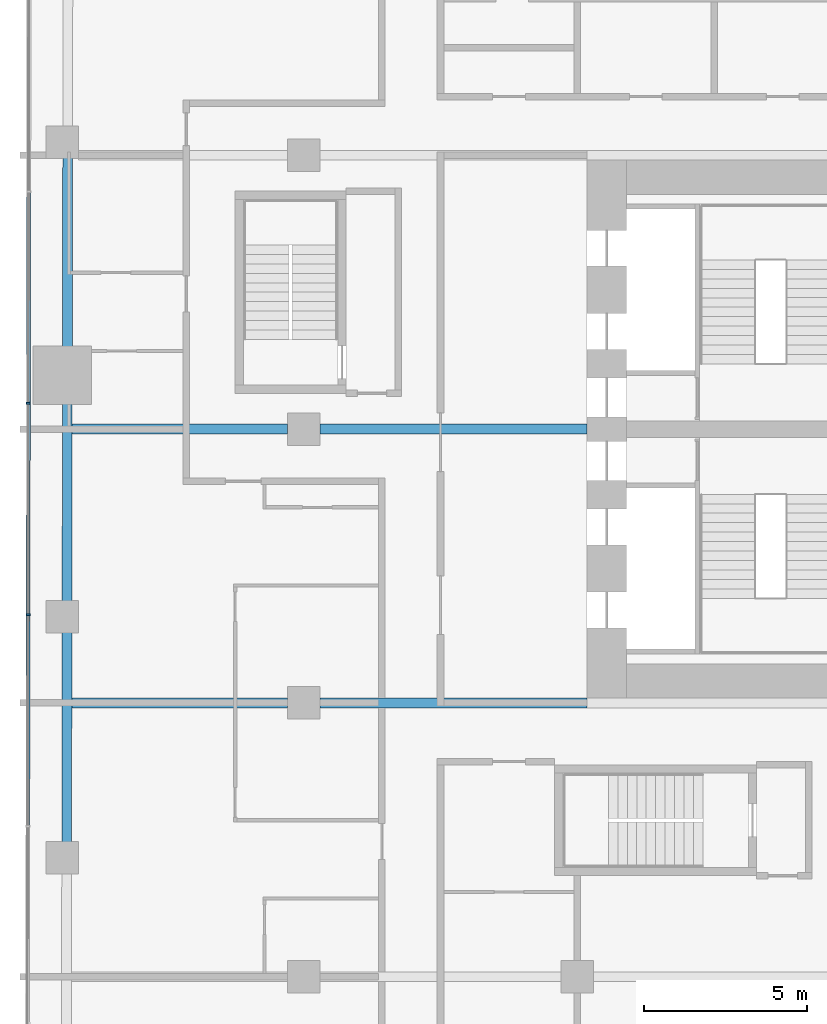
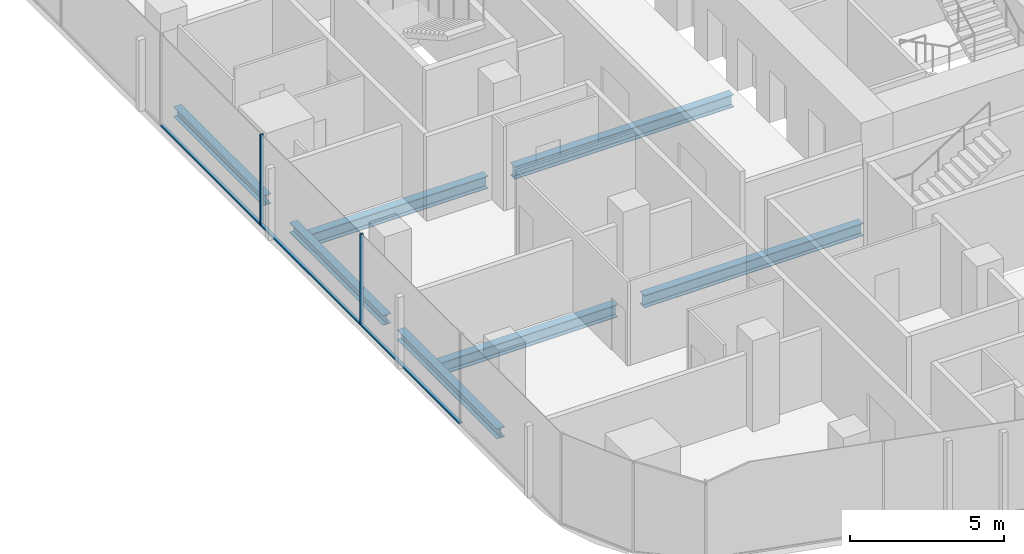
# One storey, part 4 of 25: 7 beams, 5 members, 1 element without a shape of its own.
"""IFC4 building model written with IfcOpenShell, lengths in metres."""

import ifcopenshell
import ifcopenshell.guid

model = None  # the IFC model being written
_history = None  # IfcOwnerHistory: only IFC2X3 demands one
_inside = {}  # id of a spatial element -> (the spatial element, [elements in it])
_under = {}  # id of a project, library or spatial element -> (it, [spatial elements below it])
_declared = {}  # id of a project -> (the project, [libraries it declares])
_typed = {}  # id of a type object -> (the type object, [elements of that type])
_made_of = {}  # id of a material, layer set ... -> (it, [elements and type objects made of it])


def new_model(schema):
    """Start an empty IFC model of exactly this schema.

    Asked for "IFC4X3", IfcOpenShell would pick the latest addendum, in which some entities
    have other attributes; the version numbers below select the first issue.
    IFC2X3 requires an IfcOwnerHistory on every rooted entity: one is made here for all.
    """
    global model, _history
    if schema == "IFC4X3":
        model = ifcopenshell.file(schema_version=(4, 3, 0, 0))
    else:
        model = ifcopenshell.file(schema=schema)
    _inside.clear()
    _under.clear()
    _declared.clear()
    _typed.clear()
    _made_of.clear()
    _history = None
    if model.schema == "IFC2X3":
        org = make("IfcOrganization", Name="unknown")
        user = make(
            "IfcPersonAndOrganization",
            ThePerson=make("IfcPerson", FamilyName="unknown"),
            TheOrganization=org,
        )
        app = make(
            "IfcApplication",
            ApplicationDeveloper=org,
            Version="unknown",
            ApplicationFullName="unknown",
            ApplicationIdentifier="unknown",
        )
        _history = make(
            "IfcOwnerHistory",
            OwningUser=user,
            OwningApplication=app,
            ChangeAction="ADDED",
            CreationDate=0,
        )
    return model


def make(cls, **values):
    """One entity of the class cls with the attributes given. An attribute that is None is left unset."""
    return model.create_entity(
        cls, **{name: value for name, value in values.items() if value is not None}
    )


def rooted(cls, **values):
    """An entity with a GlobalId (a new one), such as an element, a storey or a relation."""
    return make(cls, GlobalId=ifcopenshell.guid.new(), OwnerHistory=_history, **values)


def si_unit(unit_type, name, prefix=None):
    """IfcSIUnit, for example si_unit("LENGTHUNIT", "METRE", prefix="MILLI")."""
    return make("IfcSIUnit", UnitType=unit_type, Prefix=prefix, Name=name)


def assignment(units):
    """IfcUnitAssignment: the units of a project."""
    return None if units is None else make("IfcUnitAssignment", Units=units)


def point(xyz):
    """IfcCartesianPoint."""
    return None if xyz is None else make("IfcCartesianPoint", Coordinates=xyz)


def direction(xyz):
    """IfcDirection."""
    return None if xyz is None else make("IfcDirection", DirectionRatios=xyz)


def frame(location, z_axis=None, x_axis=None):
    """IfcAxis2Placement3D, a coordinate frame: its origin and axes. An axis left out is left unset."""
    return make(
        "IfcAxis2Placement3D",
        Location=point(location),
        Axis=direction(z_axis),
        RefDirection=direction(x_axis),
    )


def frame_2d(location, x_axis=None):
    """IfcAxis2Placement2D, a coordinate frame in the plane: its origin and x axis."""
    return make(
        "IfcAxis2Placement2D", Location=point(location), RefDirection=direction(x_axis)
    )


def origin():
    """The frame at (0, 0, 0) with its axes left unset."""
    return frame((0.0, 0.0, 0.0))


def origin_2d():
    """The frame at (0, 0) in the plane with its x axis left unset."""
    return frame_2d((0.0, 0.0))


def place(relative_to, where):
    """IfcLocalPlacement: puts the frame where relative to a parent placement (None: the world)."""
    return make(
        "IfcLocalPlacement", PlacementRelTo=relative_to, RelativePlacement=where
    )


def context(
    kind, dimensions, precision=None, world=None, true_north=None, identifier=None
):
    """IfcGeometricRepresentationContext, for example the 3D "Model" context."""
    return make(
        "IfcGeometricRepresentationContext",
        ContextIdentifier=identifier,
        ContextType=kind,
        CoordinateSpaceDimension=dimensions,
        Precision=precision,
        WorldCoordinateSystem=world,
        TrueNorth=true_north,
    )


def subcontext(parent, identifier, kind, view, scale=None):
    """IfcGeometricRepresentationSubContext, for example "Body" below "Model"."""
    return make(
        "IfcGeometricRepresentationSubContext",
        ContextIdentifier=identifier,
        ContextType=kind,
        ParentContext=parent,
        TargetScale=scale,
        TargetView=view,
    )


def project(units=None, contexts=None):
    """IfcProject with its units and contexts."""
    return rooted(
        "IfcProject",
        Name="project",
        RepresentationContexts=contexts,
        UnitsInContext=assignment(units),
    )


def spatial(cls, under=None, at=None, **own):
    """A site, building, storey or space (cls), placed at a placement, below another one or the project."""
    s = rooted(cls, ObjectPlacement=at, **own)
    if under is not None:
        _under.setdefault(under.id(), (under, []))[1].append(s)
    return s


def profile(cls, at=None, kind="AREA", **sizes):
    """A parametric profile (cls). Its sizes go by their IFC names, for example OverallWidth=200.0."""
    return make(cls, ProfileType=kind, Position=at, **sizes)


def rectangle(**sizes):
    """IfcRectangleProfileDef."""
    return profile("IfcRectangleProfileDef", **sizes)


def i_section(**sizes):
    """IfcIShapeProfileDef."""
    return profile("IfcIShapeProfileDef", **sizes)


def extrude(swept, where, along, depth):
    """IfcExtrudedAreaSolid: the profile swept, set in the frame where, extruded along a direction by depth."""
    return make(
        "IfcExtrudedAreaSolid",
        SweptArea=swept,
        Position=where,
        ExtrudedDirection=direction(along),
        Depth=depth,
    )


def shape(context_of_items, identifier, shape_type, items):
    """IfcShapeRepresentation: the items that make up one representation, for example the "Body"."""
    return make(
        "IfcShapeRepresentation",
        ContextOfItems=context_of_items,
        RepresentationIdentifier=identifier,
        RepresentationType=shape_type,
        Items=items,
    )


def material(Name=None, Category=None):
    """IfcMaterial."""
    return make("IfcMaterial", Name=Name, Category=Category)


def layer(
    of_material, thickness, ventilated=None, Name=None, Category=None, Priority=None
):
    """IfcMaterialLayer: one layer of a wall or slab, of a material (None: an air gap)."""
    return make(
        "IfcMaterialLayer",
        Material=of_material,
        LayerThickness=thickness,
        IsVentilated=ventilated,
        Name=Name,
        Category=Category,
        Priority=Priority,
    )


def layer_set(layers, Name=None):
    """IfcMaterialLayerSet."""
    return make("IfcMaterialLayerSet", MaterialLayers=layers, LayerSetName=Name)


def material_profile(
    of_material, cross_section, Name=None, Category=None, Priority=None
):
    """IfcMaterialProfile: a cross section and its material."""
    return make(
        "IfcMaterialProfile",
        Name=Name,
        Material=of_material,
        Profile=cross_section,
        Priority=Priority,
        Category=Category,
    )


def profile_set(profiles, Name=None, composite=None):
    """IfcMaterialProfileSet."""
    return make(
        "IfcMaterialProfileSet",
        Name=Name,
        MaterialProfiles=profiles,
        CompositeProfile=composite,
    )


def made_of(thing, what):
    """Note that an element or type object is made of a material, layer set ...; save() writes the relation."""
    if what is not None:
        _made_of.setdefault(what.id(), (what, []))[1].append(thing)
    return thing


def type_object(cls, material=None, **own):
    """A type object (cls), such as IfcWallType, which elements share."""
    return made_of(rooted(cls, **own), material)


def element(
    cls,
    number,
    at=None,
    inside=None,
    cuts=None,
    type_object=None,
    material=None,
    context=None,
    identifier="Body",
    shape_type=None,
    held_by="IfcProductDefinitionShape",
    body=None,
    shapes=None,
    **own,
):
    """One element of the class cls, such as IfcWall. Its Tag is "e" and its number.

    at: its placement. inside: the storey or other place that contains it. cuts: it is an
    opening in that element (IfcRelVoidsElement). A single representation is given by context,
    identifier, shape_type and body (its items); several are given by shapes. held_by: the class
    of the entity that holds the representations. save() writes the other relations.
    """
    e = rooted(cls, Tag="e%d" % number, ObjectPlacement=at, **own)
    if body is not None:
        shapes = [shape(context, identifier, shape_type, body)]
    if shapes is not None:
        e.Representation = make(held_by, Representations=shapes)
    if inside is not None:
        _inside.setdefault(inside.id(), (inside, []))[1].append(e)
    if cuts is not None:
        rooted(
            "IfcRelVoidsElement", RelatingBuildingElement=cuts, RelatedOpeningElement=e
        )
    if type_object is not None:
        _typed.setdefault(type_object.id(), (type_object, []))[1].append(e)
    return made_of(e, material)


def aggregate(whole, parts):
    """IfcRelAggregates: a whole, such as a stair, and the parts it consists of."""
    return rooted("IfcRelAggregates", RelatingObject=whole, RelatedObjects=parts)


def save(model, path):
    """Write the relations noted so far, then the file.

    IfcRelAggregates (storeys below a building ...), IfcRelContainedInSpatialStructure (elements
    in a storey), IfcRelDefinesByType, IfcRelAssociatesMaterial and IfcRelDeclares: one each for
    every whole, place, type object, material and project.
    """
    for whole, parts in _under.values():
        aggregate(whole, parts)
    for where, things in _inside.values():
        rooted(
            "IfcRelContainedInSpatialStructure",
            RelatedElements=things,
            RelatingStructure=where,
        )
    for kind, things in _typed.values():
        rooted("IfcRelDefinesByType", RelatedObjects=things, RelatingType=kind)
    for what, things in _made_of.values():
        rooted("IfcRelAssociatesMaterial", RelatedObjects=things, RelatingMaterial=what)
    for by, libraries in _declared.values():
        rooted("IfcRelDeclares", RelatingContext=by, RelatedDefinitions=libraries)
    model.write(path)


model = new_model("IFC4")

# Units and contexts
model_context = context("Model", 3, precision=1e-05, world=origin(), true_north=direction((0.0, 1.0)))
body_context = subcontext(model_context, "Body", "Model", "MODEL_VIEW")
ifc_project = project(units=[si_unit("LENGTHUNIT", "METRE"), si_unit("AREAUNIT", "SQUARE_METRE"), si_unit("VOLUMEUNIT", "CUBIC_METRE"), si_unit("PLANEANGLEUNIT", "RADIAN"), si_unit("MASSUNIT", "GRAM", prefix="KILO")], contexts=[model_context])

# Site, building, storey
site_placement = place(None, origin())
site = spatial("IfcSite", under=ifc_project, at=site_placement, CompositionType="ELEMENT")
building_placement = place(site_placement, origin())
building = spatial("IfcBuilding", under=site, at=building_placement, Name="Marenta Gate Hotel Tower", CompositionType="ELEMENT")
storey_placement = place(building_placement, frame((0.0, 0.0, 50.89990234375)))
storey = spatial("IfcBuildingStorey", under=building, at=storey_placement, Name="L10", CompositionType="ELEMENT", Elevation=50.89990234375)

# Beams
ifc_material_1 = material(Name="Steel S355", Category="steel")
ifc_material_profile_1 = material_profile(ifc_material_1, i_section(OverallWidth=0.300048828125, OverallDepth=0.39990234375, WebThickness=0.013427734375, FlangeThickness=0.02392578125, FilletRadius=0.027099609375, at=origin_2d()), Name="HEB 400")
ifc_profile_set_1 = profile_set([ifc_material_profile_1], Name="Steel S355")
beam_type_1 = type_object("IfcBeamType", Name="Edge beam HEB 400", PredefinedType="SPANDREL", material=ifc_profile_set_1)
beam_1_placement = place(storey_placement, frame((-28.267333984375, -4.2919921875, -0.4599609375), z_axis=(0.001393753119, 0.999999028726, 0.0), x_axis=(-0.999999028726, 0.001393753119, 0.0)))
element("IfcBeam", 1, at=beam_1_placement, inside=storey, type_object=beam_type_1, Name="L10-EB-6", PredefinedType="SPANDREL", context=body_context, shape_type="SweptSolid", body=[
    extrude(i_section(OverallWidth=0.300048828125, OverallDepth=0.39990234375, WebThickness=0.013427734375, FlangeThickness=0.02392578125, FilletRadius=0.027099609375, at=origin_2d()), origin(), (0.0, 0.0, 1.0), 6.481201171875),
])
beam_2_placement = place(storey_placement, frame((-28.257080078125, 3.109130859375, -0.4599609375), z_axis=(0.001405226059, 0.999999012669, 0.0), x_axis=(-0.999999012669, 0.001405226059, 0.0)))
element("IfcBeam", 2, at=beam_2_placement, inside=storey, type_object=beam_type_1, Name="L10-EB-7", PredefinedType="SPANDREL", context=body_context, shape_type="SweptSolid", body=[
    extrude(i_section(OverallWidth=0.300048828125, OverallDepth=0.39990234375, WebThickness=0.013427734375, FlangeThickness=0.02392578125, FilletRadius=0.027099609375, at=origin_2d()), origin(), (0.0, 0.0, 1.0), 6.080810546875),
])
beam_3_placement = place(storey_placement, frame((-28.246337890625, 10.909912109375, -0.4599609375), z_axis=(0.001423009483, 0.999998987521, 0.0), x_axis=(-0.999998987521, 0.001423009483, 0.0)))
element("IfcBeam", 3, at=beam_3_placement, inside=storey, type_object=beam_type_1, Name="L10-EB-8", PredefinedType="SPANDREL", context=body_context, shape_type="SweptSolid", body=[
    extrude(i_section(OverallWidth=0.300048828125, OverallDepth=0.39990234375, WebThickness=0.013427734375, FlangeThickness=0.02392578125, FilletRadius=0.027099609375, at=origin_2d()), origin(), (0.0, 0.0, 1.0), 5.833251953125),
])
ifc_material_2 = material(Name="Steel S355", Category="steel")
ifc_material_profile_2 = material_profile(ifc_material_2, i_section(OverallWidth=0.300048828125, OverallDepth=0.5, WebThickness=0.014404296875, FlangeThickness=0.028076171875, FilletRadius=0.027099609375, at=origin_2d()), Name="HEB 500")
ifc_profile_set_2 = profile_set([ifc_material_profile_2], Name="Steel S355")
beam_type_2 = type_object("IfcBeamType", Name="Girder HEB 500", PredefinedType="BEAM", material=ifc_profile_set_2)
beam_4_placement = place(storey_placement, frame((-28.111328125, 0.0, -0.510009765625), z_axis=(1.0, 0.0, 0.0), x_axis=(0.0, 1.0, 0.0)))
element("IfcBeam", 4, at=beam_4_placement, inside=storey, type_object=beam_type_2, Name="L10-GD-8", PredefinedType="BEAM", context=body_context, shape_type="SweptSolid", body=[
    extrude(i_section(OverallWidth=0.300048828125, OverallDepth=0.5, WebThickness=0.014404296875, FlangeThickness=0.028076171875, FilletRadius=0.027099609375, at=origin_2d()), origin(), (0.0, 0.0, 1.0), 6.611328125),
])
beam_5_placement = place(storey_placement, frame((-20.5, 0.0, -0.510009765625), z_axis=(1.0, 0.0, 0.0), x_axis=(0.0, 1.0, 0.0)))
element("IfcBeam", 5, at=beam_5_placement, inside=storey, type_object=beam_type_2, Name="L10-GD-9", PredefinedType="BEAM", context=body_context, shape_type="SweptSolid", body=[
    extrude(i_section(OverallWidth=0.300048828125, OverallDepth=0.5, WebThickness=0.014404296875, FlangeThickness=0.028076171875, FilletRadius=0.027099609375, at=origin_2d()), origin(), (0.0, 0.0, 1.0), 8.199951171875),
])
beam_6_placement = place(storey_placement, frame((-28.099609375, 8.39990234375, -0.510009765625), z_axis=(1.0, 0.0, 0.0), x_axis=(0.0, 1.0, 0.0)))
element("IfcBeam", 6, at=beam_6_placement, inside=storey, type_object=beam_type_2, Name="L10-GD-13", PredefinedType="BEAM", context=body_context, shape_type="SweptSolid", body=[
    extrude(i_section(OverallWidth=0.300048828125, OverallDepth=0.5, WebThickness=0.014404296875, FlangeThickness=0.028076171875, FilletRadius=0.027099609375, at=origin_2d()), origin(), (0.0, 0.0, 1.0), 6.599609375),
])
beam_7_placement = place(storey_placement, frame((-20.5, 8.39990234375, -0.510009765625), z_axis=(1.0, 0.0, 0.0), x_axis=(0.0, 1.0, 0.0)))
element("IfcBeam", 7, at=beam_7_placement, inside=storey, type_object=beam_type_2, Name="L10-GD-14", PredefinedType="BEAM", context=body_context, shape_type="SweptSolid", body=[
    extrude(i_section(OverallWidth=0.300048828125, OverallDepth=0.5, WebThickness=0.014404296875, FlangeThickness=0.028076171875, FilletRadius=0.027099609375, at=origin_2d()), origin(), (0.0, 0.0, 1.0), 8.199951171875),
])

# Curtain wall, members
ifc_material_3 = material(Name="Tinted insulated glass in bronze anodised frame", Category="glass")
ifc_layer = layer(ifc_material_3, 0.1201171875)
ifc_layer_set = layer_set([ifc_layer], Name="Tinted insulated glass in bronze anodised frame")
curtain_wall_type = type_object("IfcCurtainWallType", Name="Tower unitised curtain wall CW1", PredefinedType="NOTDEFINED", material=ifc_layer_set)
curtain_wall_placement = place(storey_placement, origin())
curtain_wall = element("IfcCurtainWall", 8, at=curtain_wall_placement, inside=storey, type_object=curtain_wall_type, Name="CW1 run G03", PredefinedType="NOTDEFINED")
ifc_material_4 = material(Name="Bronze anodised aluminium", Category="aluminium")
ifc_material_profile_3 = material_profile(ifc_material_4, rectangle(XDim=0.1201171875, YDim=0.06005859375, at=origin_2d()), Name="Mullion CW1 60x120 bronze anodised aluminium")
ifc_profile_set_3 = profile_set([ifc_material_profile_3], Name="Bronze anodised aluminium")
member_type_1 = type_object("IfcMemberType", Name="Mullion CW1 60x120 bronze anodised aluminium", PredefinedType="MULLION", material=ifc_profile_set_3)
member_1_placement = place(storey_placement, frame((-29.44287109375, 9.195068359375, 0.0), z_axis=(0.0, 0.0, 1.0), x_axis=(0.99999877316, -0.00156642217, 0.0)))
member_1 = element("IfcMember", 9, at=member_1_placement, type_object=member_type_1, Name="CW1 mullion 4", PredefinedType="MULLION", context=body_context, shape_type="SweptSolid", body=[
    extrude(rectangle(XDim=0.1201171875, YDim=0.06005859375, at=origin_2d()), origin(), (0.0, 0.0, 1.0), 3.60009765625),
])
member_2_placement = place(storey_placement, frame((-29.452880859375, 2.704833984375, 0.0), z_axis=(0.0, 0.0, 1.0), x_axis=(0.99999877316, -0.00156642217, 0.0)))
member_2 = element("IfcMember", 10, at=member_2_placement, type_object=member_type_1, Name="CW1 mullion 5", PredefinedType="MULLION", context=body_context, shape_type="SweptSolid", body=[
    extrude(rectangle(XDim=0.1201171875, YDim=0.06005859375, at=origin_2d()), origin(), (0.0, 0.0, 1.0), 3.60009765625),
])
ifc_material_5 = material(Name="Bronze anodised aluminium", Category="aluminium")
ifc_material_profile_4 = material_profile(ifc_material_5, rectangle(XDim=0.1201171875, YDim=0.06005859375, at=origin_2d()), Name="Transom CW1 60x120 bronze anodised aluminium")
ifc_profile_set_4 = profile_set([ifc_material_profile_4], Name="Bronze anodised aluminium")
member_type_2 = type_object("IfcMemberType", Name="Transom CW1 60x120 bronze anodised aluminium", PredefinedType="USERDEFINED", material=ifc_profile_set_4)
member_3_placement = place(storey_placement, frame((-29.4326171875, 15.655517578125, 0.030029296875), z_axis=(-0.001594591541, -0.999998728638, 0.0), x_axis=(0.999998728638, -0.001594591541, 0.0)))
member_3 = element("IfcMember", 11, at=member_3_placement, type_object=member_type_2, Name="CW1 transom 3.1", ObjectType="TRANSOM", PredefinedType="USERDEFINED", context=body_context, shape_type="SweptSolid", body=[
    extrude(rectangle(XDim=0.1201171875, YDim=0.06005859375, at=origin_2d()), origin(), (0.0, 0.0, 1.0), 6.430419921875),
])
member_4_placement = place(storey_placement, frame((-29.44287109375, 9.1650390625, 0.030029296875), z_axis=(-0.001556625169, -0.999998788458, 0.0), x_axis=(0.999998788458, -0.001556625169, 0.0)))
member_4 = element("IfcMember", 12, at=member_4_placement, type_object=member_type_2, Name="CW1 transom 4.1", ObjectType="TRANSOM", PredefinedType="USERDEFINED", context=body_context, shape_type="SweptSolid", body=[
    extrude(rectangle(XDim=0.1201171875, YDim=0.06005859375, at=origin_2d()), origin(), (0.0, 0.0, 1.0), 6.430419921875),
])
member_5_placement = place(storey_placement, frame((-29.453125, 2.6748046875, 0.030029296875), z_axis=(-0.001556625169, -0.999998788458, 0.0), x_axis=(0.999998788458, -0.001556625169, 0.0)))
member_5 = element("IfcMember", 13, at=member_5_placement, type_object=member_type_2, Name="CW1 transom 5.1", ObjectType="TRANSOM", PredefinedType="USERDEFINED", context=body_context, shape_type="SweptSolid", body=[
    extrude(rectangle(XDim=0.1201171875, YDim=0.06005859375, at=origin_2d()), origin(), (0.0, 0.0, 1.0), 6.430419921875),
])
aggregate(curtain_wall, [member_1, member_2, member_3, member_4, member_5])

save(model, "model.ifc")
